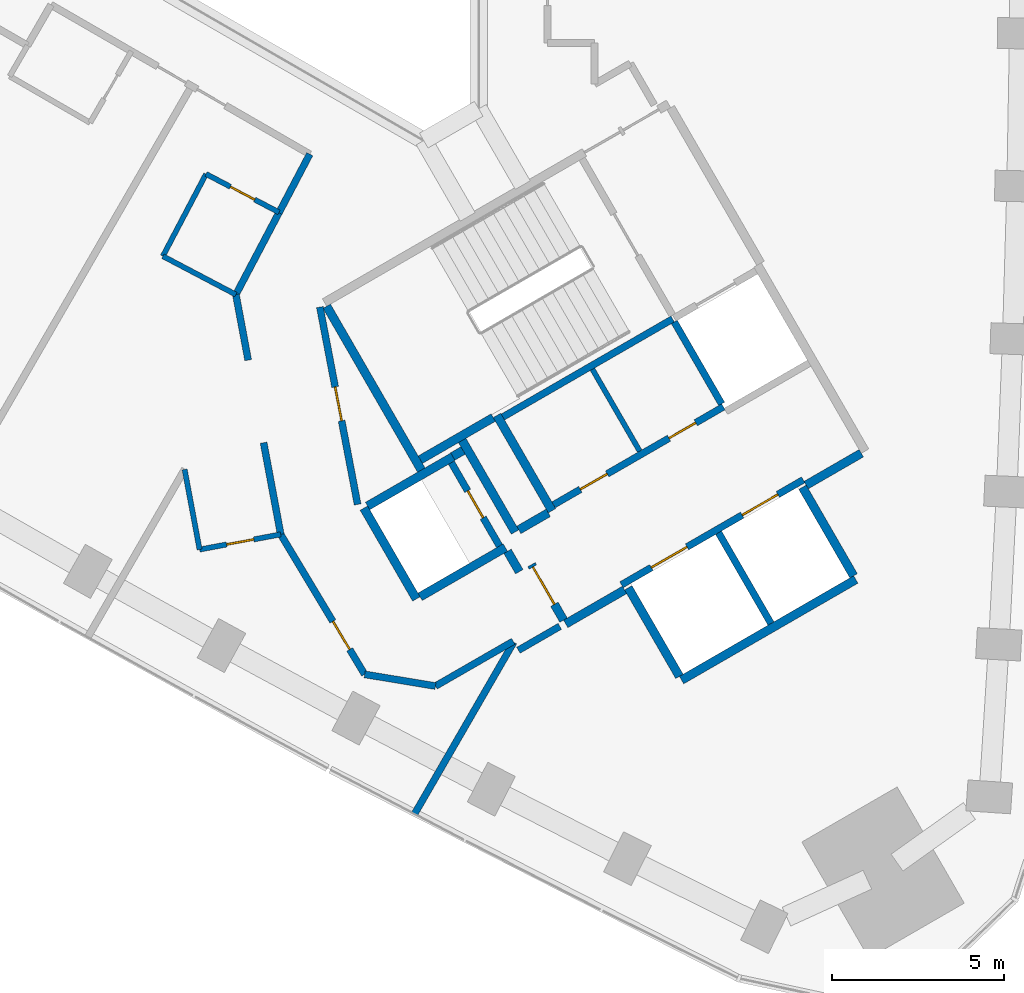
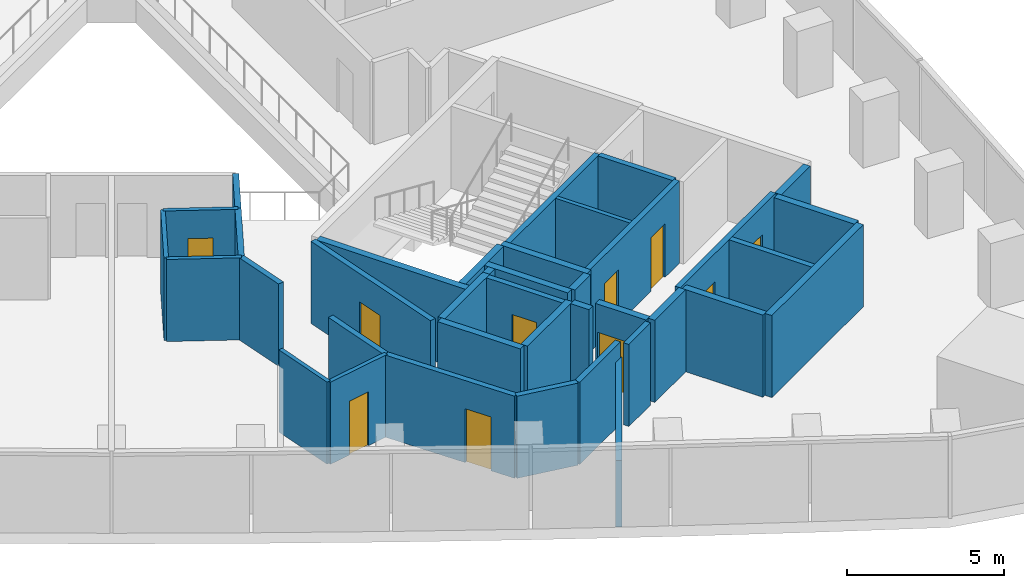
# One storey, part 8 of 12: 38 walls, 10 doors, 10 openings.
"""IFC4 building model written with IfcOpenShell, lengths in metres."""

from ifc_helpers import new_model, si_unit, direction, frame, frame_2d, origin, place, context, subcontext, project, spatial, rectangle, extrude, material, layer, layer_set, type_object, element, fill, save


model = new_model("IFC4")

# Units and contexts
model_context = context("Model", 3, precision=1e-05, world=origin(), true_north=direction((0.0, 1.0)))
body_context = subcontext(model_context, "Body", "Model", "MODEL_VIEW")
ifc_project = project(units=[si_unit("LENGTHUNIT", "METRE"), si_unit("AREAUNIT", "SQUARE_METRE"), si_unit("VOLUMEUNIT", "CUBIC_METRE"), si_unit("PLANEANGLEUNIT", "RADIAN"), si_unit("MASSUNIT", "GRAM", prefix="KILO")], contexts=[model_context])

# Site, building, storey
site_placement = place(None, origin())
site = spatial("IfcSite", under=ifc_project, at=site_placement, CompositionType="ELEMENT")
building_placement = place(site_placement, origin())
building = spatial("IfcBuilding", under=site, at=building_placement, Name="Tamra Quay Hotel Tower", CompositionType="ELEMENT")
storey_placement = place(building_placement, frame((0.0, 0.0, 115.39990234375)))
storey = spatial("IfcBuildingStorey", under=building, at=storey_placement, Name="L28", CompositionType="ELEMENT", Elevation=115.39990234375)

# Wall, openings, doors
ifc_material_1 = material(Name="Concrete M70", Category="concrete")
ifc_layer_1 = layer(ifc_material_1, 0.199951171875)
ifc_layer_set_1 = layer_set([ifc_layer_1], Name="Concrete M70 core wall 200")
wall_type_1 = type_object("IfcWallType", Name="Concrete M70 core wall 200", PredefinedType="SHEAR", material=ifc_layer_set_1)
wall_1_placement = place(storey_placement, frame((9.052490234375, -20.479736328125, 0.0), z_axis=(0.0, 0.0, 1.0), x_axis=(0.866030299012, 0.499991521122, 0.0)))
wall_1 = element("IfcWall", 1, at=wall_1_placement, inside=storey, type_object=wall_type_1, Name="CW2", PredefinedType="SHEAR", context=body_context, shape_type="SweptSolid", body=[
    extrude(rectangle(XDim=6.10009765625, YDim=0.199951171875, at=frame_2d((3.050048828125, 0.0))), origin(), (0.0, 0.0, 1.0), 3.2001953125),
])
opening_1_placement = place(wall_1_placement, frame((1.0, 0.0, 0.0)))
opening_1 = element("IfcOpeningElement", 2, at=opening_1_placement, cuts=wall_1, Name="Opening LD", PredefinedType="OPENING", context=body_context, shape_type="SweptSolid", body=[
    extrude(rectangle(XDim=1.199951171875, YDim=2.10009765625, at=frame_2d((0.60009765625, 1.050048828125))), frame((0.0, 0.10986328125, 0.0), z_axis=(0.0, -1.0, 0.0), x_axis=(1.0, 0.0, 0.0)), (0.0, 0.0, 1.0), 0.219970703125),
])
opening_2_placement = place(wall_1_placement, frame((4.05029296875, 0.0, 0.0)))
opening_2 = element("IfcOpeningElement", 3, at=opening_2_placement, cuts=wall_1, Name="Opening LD", PredefinedType="OPENING", context=body_context, shape_type="SweptSolid", body=[
    extrude(rectangle(XDim=1.199951171875, YDim=2.10009765625, at=frame_2d((0.60009765625, 1.050048828125))), frame((0.0, 0.10986328125, 0.0), z_axis=(0.0, -1.0, 0.0), x_axis=(1.0, 0.0, 0.0)), (0.0, 0.0, 1.0), 0.219970703125),
])
ifc_material_2 = material(Name="Landing door LD 1200 double door sliding")
door_type_1 = type_object("IfcDoorType", Name="Landing door LD 1200 double door sliding", OperationType="DOUBLE_DOOR_SLIDING", PredefinedType="DOOR", material=ifc_material_2)
door_1_placement = place(opening_1_placement, origin())
door_1 = element("IfcDoor", 4, at=door_1_placement, inside=storey, type_object=door_type_1, Name="LD", OperationType="DOUBLE_DOOR_SLIDING", OverallHeight=2.10009765625, OverallWidth=1.199951171875, PredefinedType="DOOR", context=body_context, shape_type="SweptSolid", body=[
    extrude(rectangle(XDim=1.199951171875, YDim=2.10009765625, at=frame_2d((0.60009765625, 1.050048828125))), frame((0.0, 0.02490234375, 0.0), z_axis=(0.0, -1.0, 0.0), x_axis=(1.0, 0.0, 0.0)), (0.0, 0.0, 1.0), 0.050048828125),
])
fill(opening_1, door_1)
door_2_placement = place(opening_2_placement, origin())
door_2 = element("IfcDoor", 5, at=door_2_placement, inside=storey, type_object=door_type_1, Name="LD", OperationType="DOUBLE_DOOR_SLIDING", OverallHeight=2.10009765625, OverallWidth=1.199951171875, PredefinedType="DOOR", context=body_context, shape_type="SweptSolid", body=[
    extrude(rectangle(XDim=1.199951171875, YDim=2.10009765625, at=frame_2d((0.60009765625, 1.050048828125))), frame((0.0, 0.02490234375, 0.0), z_axis=(0.0, -1.0, 0.0), x_axis=(1.0, 0.0, 0.0)), (0.0, 0.0, 1.0), 0.050048828125),
])
fill(opening_2, door_2)

# Wall
wall_2_placement = place(storey_placement, frame((10.537841796875, -12.751953125, 0.0), z_axis=(0.0, 0.0, 1.0), x_axis=(-0.866038630372, -0.499977090179, 0.0)))
element("IfcWall", 6, at=wall_2_placement, inside=storey, type_object=wall_type_1, Name="CW2", PredefinedType="SHEAR", context=body_context, shape_type="SweptSolid", body=[
    extrude(rectangle(XDim=5.698974609375, YDim=0.199951171875, at=frame_2d((2.849609375, 0.0))), origin(), (0.0, 0.0, 1.0), 3.2001953125),
])

# Wall, openings, doors
wall_3_placement = place(storey_placement, frame((7.0771484375, -18.156005859375, 0.0), z_axis=(0.0, 0.0, 1.0), x_axis=(0.866038630372, 0.499977090179, 0.0)))
wall_3 = element("IfcWall", 7, at=wall_3_placement, inside=storey, type_object=wall_type_1, Name="CW2", PredefinedType="SHEAR", context=body_context, shape_type="SweptSolid", body=[
    extrude(rectangle(XDim=5.698974609375, YDim=0.199951171875, at=frame_2d((2.849609375, 0.0))), origin(), (0.0, 0.0, 1.0), 3.2001953125),
])
opening_3_placement = place(wall_3_placement, frame((0.89892578125, 0.0, 0.0)))
opening_3 = element("IfcOpeningElement", 8, at=opening_3_placement, cuts=wall_3, Name="Opening D2", PredefinedType="OPENING", context=body_context, shape_type="SweptSolid", body=[
    extrude(rectangle(XDim=0.89990234375, YDim=2.10009765625, at=frame_2d((0.449951171875, 1.050048828125))), frame((0.0, 0.10986328125, 0.0), z_axis=(0.0, -1.0, 0.0), x_axis=(1.0, 0.0, 0.0)), (0.0, 0.0, 1.0), 0.219970703125),
])
opening_4_placement = place(wall_3_placement, frame((3.8740234375, 0.0, 0.0)))
opening_4 = element("IfcOpeningElement", 9, at=opening_4_placement, cuts=wall_3, Name="Opening D2", PredefinedType="OPENING", context=body_context, shape_type="SweptSolid", body=[
    extrude(rectangle(XDim=0.89990234375, YDim=2.10009765625, at=frame_2d((0.449951171875, 1.050048828125))), frame((0.0, 0.10986328125, 0.0), z_axis=(0.0, -1.0, 0.0), x_axis=(1.0, 0.0, 0.0)), (0.0, 0.0, 1.0), 0.219970703125),
])
ifc_material_3 = material(Name="Core door D2 900x2100 LH")
door_type_2 = type_object("IfcDoorType", Name="Core door D2 900x2100 LH", OperationType="NOTDEFINED", PredefinedType="DOOR", material=ifc_material_3)
door_3_placement = place(opening_3_placement, origin())
door_3 = element("IfcDoor", 10, at=door_3_placement, inside=storey, type_object=door_type_2, Name="D2", OperationType="SINGLE_SWING_LEFT", OverallHeight=2.10009765625, OverallWidth=0.89990234375, PredefinedType="DOOR", context=body_context, shape_type="SweptSolid", body=[
    extrude(rectangle(XDim=0.89990234375, YDim=2.10009765625, at=frame_2d((0.449951171875, 1.050048828125))), frame((0.0, 0.02490234375, 0.0), z_axis=(0.0, -1.0, 0.0), x_axis=(1.0, 0.0, 0.0)), (0.0, 0.0, 1.0), 0.050048828125),
])
fill(opening_3, door_3)
ifc_material_4 = material(Name="Core door D2 900x2100 RH")
door_type_3 = type_object("IfcDoorType", Name="Core door D2 900x2100 RH", OperationType="NOTDEFINED", PredefinedType="DOOR", material=ifc_material_4)
door_4_placement = place(opening_4_placement, origin())
door_4 = element("IfcDoor", 11, at=door_4_placement, inside=storey, type_object=door_type_3, Name="D2", OperationType="SINGLE_SWING_RIGHT", OverallHeight=2.10009765625, OverallWidth=0.89990234375, PredefinedType="DOOR", context=body_context, shape_type="SweptSolid", body=[
    extrude(rectangle(XDim=0.89990234375, YDim=2.10009765625, at=frame_2d((0.449951171875, 1.050048828125))), frame((0.0, 0.02490234375, 0.0), z_axis=(0.0, -1.0, 0.0), x_axis=(1.0, 0.0, 0.0)), (0.0, 0.0, 1.0), 0.050048828125),
])
fill(opening_4, door_4)

# Wall
wall_4_placement = place(storey_placement, frame((11.87451171875, -18.967041015625, 0.0), z_axis=(0.0, 0.0, 1.0), x_axis=(0.49998131003, -0.866036194175, 0.0)))
element("IfcWall", 12, at=wall_4_placement, inside=storey, type_object=wall_type_1, Name="CW2", PredefinedType="SHEAR", context=body_context, shape_type="SweptSolid", body=[
    extrude(rectangle(XDim=3.0478515625, YDim=0.199951171875, at=frame_2d((1.52392578125, 0.0))), origin(), (0.0, 0.0, 1.0), 3.2001953125),
])

# Wall, opening, door
wall_5_placement = place(storey_placement, frame((5.50341796875, -19.352294921875, 0.0), z_axis=(0.0, 0.0, 1.0), x_axis=(-0.499986818241, 0.866033014143, 0.0)))
wall_5 = element("IfcWall", 13, at=wall_5_placement, inside=storey, type_object=wall_type_1, Name="CW2", PredefinedType="SHEAR", context=body_context, shape_type="SweptSolid", body=[
    extrude(rectangle(XDim=2.7978515625, YDim=0.199951171875, at=frame_2d((1.39892578125, 0.0))), origin(), (0.0, 0.0, 1.0), 3.2001953125),
])
opening_5_placement = place(wall_5_placement, frame((0.948974609375, 0.0, 0.0)))
opening_5 = element("IfcOpeningElement", 14, at=opening_5_placement, cuts=wall_5, Name="Opening D1", PredefinedType="OPENING", context=body_context, shape_type="SweptSolid", body=[
    extrude(rectangle(XDim=0.89990234375, YDim=2.10009765625, at=frame_2d((0.449951171875, 1.050048828125))), frame((0.0, 0.10986328125, 0.0), z_axis=(0.0, -1.0, 0.0), x_axis=(1.0, 0.0, 0.0)), (0.0, 0.0, 1.0), 0.219970703125),
])
ifc_material_5 = material(Name="Core door D1 900x2100 LH")
door_type_4 = type_object("IfcDoorType", Name="Core door D1 900x2100 LH", OperationType="NOTDEFINED", PredefinedType="DOOR", material=ifc_material_5)
door_5_placement = place(opening_5_placement, origin())
door_5 = element("IfcDoor", 15, at=door_5_placement, inside=storey, type_object=door_type_4, Name="D1", OperationType="SINGLE_SWING_LEFT", OverallHeight=2.10009765625, OverallWidth=0.89990234375, PredefinedType="DOOR", context=body_context, shape_type="SweptSolid", body=[
    extrude(rectangle(XDim=0.89990234375, YDim=2.10009765625, at=frame_2d((0.449951171875, 1.050048828125))), frame((0.0, 0.02490234375, 0.0), z_axis=(0.0, -1.0, 0.0), x_axis=(1.0, 0.0, 0.0)), (0.0, 0.0, 1.0), 0.050048828125),
])
fill(opening_5, door_5)

# Walls
wall_6_placement = place(storey_placement, frame((11.962646484375, -15.219970703125, 0.0), z_axis=(0.0, 0.0, 1.0), x_axis=(-0.500034990121, 0.866005201286, 0.0)))
element("IfcWall", 16, at=wall_6_placement, inside=storey, type_object=wall_type_1, Name="CW2", PredefinedType="SHEAR", context=body_context, shape_type="SweptSolid", body=[
    extrude(rectangle(XDim=2.749755859375, YDim=0.199951171875, at=frame_2d((1.375, 0.0))), origin(), (0.0, 0.0, 1.0), 3.2001953125),
])
ifc_layer_2 = layer(ifc_material_1, 0.25)
ifc_layer_set_2 = layer_set([ifc_layer_2], Name="Concrete M70 core wall 250")
wall_type_2 = type_object("IfcWallType", Name="Concrete M70 core wall 250", PredefinedType="SHEAR", material=ifc_layer_set_2)
wall_7_placement = place(storey_placement, frame((15.86474609375, -20.328369140625, 0.0), z_axis=(0.0, 0.0, 1.0), x_axis=(-0.86602852612, -0.499994591916, 0.0)))
element("IfcWall", 17, at=wall_7_placement, inside=storey, type_object=wall_type_2, Name="CW1", PredefinedType="SHEAR", context=body_context, shape_type="SweptSolid", body=[
    extrude(rectangle(XDim=5.85009765625, YDim=0.25, at=frame_2d((2.925048828125, 0.0))), origin(), (0.0, 0.0, 1.0), 3.2001953125),
])
wall_8_placement = place(storey_placement, frame((3.23486328125, -17.15283203125, 0.0), z_axis=(0.0, 0.0, 1.0), x_axis=(-0.500008851346, 0.866020293397, 0.0)))
element("IfcWall", 18, at=wall_8_placement, inside=storey, type_object=wall_type_2, Name="CW1", PredefinedType="SHEAR", context=body_context, shape_type="SweptSolid", body=[
    extrude(rectangle(XDim=5.509765625, YDim=0.25, at=frame_2d((2.7548828125, 0.0))), origin(), (0.0, 0.0, 1.0), 3.2001953125),
])
wall_9_placement = place(storey_placement, frame((7.030517578125, -18.327392578125, 0.0), z_axis=(0.0, 0.0, 1.0), x_axis=(-0.499971222258, 0.866042017984, 0.0)))
element("IfcWall", 19, at=wall_9_placement, inside=storey, type_object=wall_type_2, Name="CW1", PredefinedType="SHEAR", context=body_context, shape_type="SweptSolid", body=[
    extrude(rectangle(XDim=3.199951171875, YDim=0.25, at=frame_2d((1.60009765625, 0.0))), origin(), (0.0, 0.0, 1.0), 3.2001953125),
])
for number, where, z_axis, x_axis, name in (
    (20, (14.314697265625, -17.643798828125, 0.0), (0.0, 0.0, 1.0), (0.500023226632, -0.866011993467, 0.0), "CW1"),
    (21, (10.73583984375, -23.144775390625, 0.0), (0.0, 0.0, 1.0), (-0.500023226632, 0.866011993467, 0.0), "CW1"),
):
    element("IfcWall", number, at=place(storey_placement, frame(where, z_axis=z_axis, x_axis=x_axis)), inside=storey, type_object=wall_type_2, Name=name, PredefinedType="SHEAR", context=body_context, shape_type="SweptSolid", body=[
        extrude(rectangle(XDim=2.974365234375, YDim=0.25, at=frame_2d((1.4873046875, 0.0))), origin(), (0.0, 0.0, 1.0), 3.2001953125),
    ])
wall_10_placement = place(storey_placement, frame((3.085205078125, -20.893798828125, 0.0), z_axis=(0.0, 0.0, 1.0), x_axis=(-0.499978833458, 0.866037623948, 0.0)))
element("IfcWall", 22, at=wall_10_placement, inside=storey, type_object=wall_type_2, Name="CW1", PredefinedType="SHEAR", context=body_context, shape_type="SweptSolid", body=[
    extrude(rectangle(XDim=3.050048828125, YDim=0.25, at=frame_2d((1.52490234375, 0.0))), origin(), (0.0, 0.0, 1.0), 3.2001953125),
])
wall_11_placement = place(storey_placement, frame((1.6689453125, -18.189697265625, 0.0), z_axis=(0.0, 0.0, 1.0), x_axis=(0.866042235819, 0.499970844928, 0.0)))
element("IfcWall", 23, at=wall_11_placement, inside=storey, type_object=wall_type_2, Name="CW1", PredefinedType="SHEAR", context=body_context, shape_type="SweptSolid", body=[
    extrude(rectangle(XDim=2.864501953125, YDim=0.25, at=frame_2d((1.43212890625, 0.0))), origin(), (0.0, 0.0, 1.0), 3.2001953125),
])
wall_12_placement = place(storey_placement, frame((5.6748046875, -19.39892578125, 0.0), z_axis=(0.0, 0.0, 1.0), x_axis=(-0.866026637627, -0.499997862916, 0.0)))
element("IfcWall", 24, at=wall_12_placement, inside=storey, type_object=wall_type_2, Name="CW1", PredefinedType="SHEAR", context=body_context, shape_type="SweptSolid", body=[
    extrude(rectangle(XDim=2.86474609375, YDim=0.25, at=frame_2d((1.432373046875, 0.0))), origin(), (0.0, 0.0, 1.0), 3.2001953125),
])
wall_13_placement = place(storey_placement, frame((4.414306640625, -16.275634765625, 0.0), z_axis=(0.0, 0.0, 1.0), x_axis=(0.500003324108, -0.866023484601, 0.0)))
element("IfcWall", 25, at=wall_13_placement, inside=storey, type_object=wall_type_2, Name="CW1", PredefinedType="SHEAR", context=body_context, shape_type="SweptSolid", body=[
    extrude(rectangle(XDim=3.0849609375, YDim=0.25, at=frame_2d((1.54248046875, 0.0))), origin(), (0.0, 0.0, 1.0), 3.2001953125),
])
wall_14_placement = place(storey_placement, frame((5.322021484375, -15.618896484375, 0.0), z_axis=(0.0, 0.0, 1.0), x_axis=(-0.866026229868, -0.499998569178, 0.0)))
element("IfcWall", 26, at=wall_14_placement, inside=storey, type_object=wall_type_2, Name="CW1", PredefinedType="SHEAR", context=body_context, shape_type="SweptSolid", body=[
    extrude(rectangle(XDim=2.44921875, YDim=0.25, at=frame_2d((1.224609375, 0.0))), origin(), (0.0, 0.0, 1.0), 3.2001953125),
])
wall_15_placement = place(storey_placement, frame((9.139892578125, -20.63134765625, 0.0), z_axis=(0.0, 0.0, 1.0), x_axis=(-0.866043531843, -0.499968599967, 0.0)))
element("IfcWall", 27, at=wall_15_placement, inside=storey, type_object=wall_type_2, Name="CW1", PredefinedType="SHEAR", context=body_context, shape_type="SweptSolid", body=[
    extrude(rectangle(XDim=1.974853515625, YDim=0.25, at=frame_2d((0.9873046875, 0.0))), origin(), (0.0, 0.0, 1.0), 3.2001953125),
])
wall_16_placement = place(storey_placement, frame((16.024658203125, -16.656494140625, 0.0), z_axis=(0.0, 0.0, 1.0), x_axis=(-0.866016279763, -0.500015802937, 0.0)))
element("IfcWall", 28, at=wall_16_placement, inside=storey, type_object=wall_type_2, Name="CW1", PredefinedType="SHEAR", context=body_context, shape_type="SweptSolid", body=[
    extrude(rectangle(XDim=1.84912109375, YDim=0.25, at=frame_2d((0.924560546875, 0.0))), origin(), (0.0, 0.0, 1.0), 3.2001953125),
])

# Wall, opening, door
wall_17_placement = place(storey_placement, frame((7.3671875, -21.51025390625, 0.0), z_axis=(0.0, 0.0, 1.0), x_axis=(-0.499983108224, 0.866035156036, 0.0)))
wall_17 = element("IfcWall", 29, at=wall_17_placement, inside=storey, type_object=wall_type_2, Name="CW1", PredefinedType="SHEAR", context=body_context, shape_type="SweptSolid", body=[
    extrude(rectangle(XDim=1.86474609375, YDim=0.25, at=frame_2d((0.932373046875, 0.0))), origin(), (0.0, 0.0, 1.0), 3.2001953125),
])
opening_6_placement = place(wall_17_placement, frame((0.53466796875, 0.0, 0.0)))
opening_6 = element("IfcOpeningElement", 30, at=opening_6_placement, cuts=wall_17, Name="Opening FD3", PredefinedType="OPENING", context=body_context, shape_type="SweptSolid", body=[
    extrude(rectangle(XDim=1.25, YDim=2.10009765625, at=frame_2d((0.625, 1.050048828125))), frame((0.0, 0.135009765625, 0.0), z_axis=(0.0, -1.0, 0.0), x_axis=(1.0, 0.0, 0.0)), (0.0, 0.0, 1.0), 0.27001953125),
])
ifc_material_6 = material(Name="Core door FD3 1250x2100 LH")
door_type_5 = type_object("IfcDoorType", Name="Core door FD3 1250x2100 LH", OperationType="NOTDEFINED", PredefinedType="DOOR", material=ifc_material_6)
door_6_placement = place(opening_6_placement, origin())
door_6 = element("IfcDoor", 31, at=door_6_placement, inside=storey, type_object=door_type_5, Name="FD3", OperationType="SINGLE_SWING_LEFT", OverallHeight=2.10009765625, OverallWidth=1.25, PredefinedType="DOOR", context=body_context, shape_type="SweptSolid", body=[
    extrude(rectangle(XDim=1.25, YDim=2.10009765625, at=frame_2d((0.625, 1.050048828125))), frame((0.0, 0.02490234375, 0.0), z_axis=(0.0, -1.0, 0.0), x_axis=(1.0, 0.0, 0.0)), (0.0, 0.0, 1.0), 0.050048828125),
])
fill(opening_6, door_6)

# Walls
wall_18_placement = place(storey_placement, frame((6.0654296875, -18.884765625, 0.0), z_axis=(0.0, 0.0, 1.0), x_axis=(0.866017078145, 0.500014420154, 0.0)))
element("IfcWall", 32, at=wall_18_placement, inside=storey, type_object=wall_type_2, Name="CW1", PredefinedType="SHEAR", context=body_context, shape_type="SweptSolid", body=[
    extrude(rectangle(XDim=0.9892578125, YDim=0.25, at=frame_2d((0.49462890625, 0.0))), origin(), (0.0, 0.0, 1.0), 3.2001953125),
])
wall_19_placement = place(storey_placement, frame((6.07958984375, -20.100341796875, 0.0), z_axis=(0.0, 0.0, 1.0), x_axis=(-0.500051773299, 0.865995510393, 0.0)))
element("IfcWall", 33, at=wall_19_placement, inside=storey, type_object=wall_type_2, Name="CW1", PredefinedType="SHEAR", context=body_context, shape_type="SweptSolid", body=[
    extrude(rectangle(XDim=0.6845703125, YDim=0.25, at=frame_2d((0.34228515625, 0.0))), origin(), (0.0, 0.0, 1.0), 3.2001953125),
])
wall_20_placement = place(storey_placement, frame((4.144775390625, -16.748779296875, 0.0), z_axis=(0.0, 0.0, 1.0), x_axis=(0.866185586049, 0.49972245349, 0.0)))
element("IfcWall", 34, at=wall_20_placement, inside=storey, type_object=wall_type_2, Name="CW1", PredefinedType="SHEAR", context=body_context, shape_type="SweptSolid", body=[
    extrude(rectangle(XDim=0.344482421875, YDim=0.25, at=frame_2d((0.17236328125, 0.0))), origin(), (0.0, 0.0, 1.0), 3.2001953125),
])
ifc_material_7 = material(Name="Blockwork", Category="masonry")
ifc_layer_3 = layer(ifc_material_7, 0.14990234375)
ifc_layer_set_3 = layer_set([ifc_layer_3], Name="Core partition block 150")
wall_type_3 = type_object("IfcWallType", Name="Core partition block 150", PredefinedType="PARTITIONING", material=ifc_layer_set_3)
wall_21_placement = place(storey_placement, frame((8.20654296875, -14.214111328125, 0.0), z_axis=(0.0, 0.0, 1.0), x_axis=(0.50002746344, -0.86600954718, 0.0)))
element("IfcWall", 35, at=wall_21_placement, inside=storey, type_object=wall_type_3, Name="CP1", PredefinedType="PARTITIONING", context=body_context, shape_type="SweptSolid", body=[
    extrude(rectangle(XDim=2.748291015625, YDim=0.14990234375, at=frame_2d((1.3740234375, 0.0))), origin(), (0.0, 0.0, 1.0), 3.2001953125),
])
ifc_material_8 = material(Name="Partition corridor wall")
ifc_layer_4 = layer(ifc_material_8, 0.199951171875)
ifc_layer_set_4 = layer_set([ifc_layer_4], Name="Partition corridor wall")
wall_type_4 = type_object("IfcWallType", Name="Partition corridor wall", PredefinedType="PARTITIONING", material=ifc_layer_set_4)
wall_22_placement = place(storey_placement, frame((-2.162109375, -12.0419921875, 0.0), z_axis=(0.0, 0.0, 1.0), x_axis=(0.184098589938, -0.982907782644, 0.0)))
element("IfcWall", 36, at=wall_22_placement, inside=storey, type_object=wall_type_4, Name="W-C", PredefinedType="PARTITIONING", context=body_context, shape_type="SweptSolid", body=[
    extrude(rectangle(XDim=1.940185546875, YDim=0.199951171875, at=frame_2d((0.97021484375, 0.0))), origin(), (0.0, 0.0, 1.0), 3.2001953125),
])
wall_23_placement = place(storey_placement, frame((-2.162109375, -12.041015625, 0.0), z_axis=(0.0, 0.0, 1.0), x_axis=(0.465768693846, 0.884906505702, 0.0)))
element("IfcWall", 37, at=wall_23_placement, inside=storey, type_object=wall_type_4, Name="W-C", PredefinedType="PARTITIONING", context=body_context, shape_type="SweptSolid", body=[
    extrude(rectangle(XDim=2.712158203125, YDim=0.199951171875, at=frame_2d((1.35595703125, 0.0))), origin(), (0.0, 0.0, 1.0), 3.2001953125),
])
wall_24_placement = place(storey_placement, frame((-1.35595703125, -16.34912109375, 0.0), z_axis=(0.0, 0.0, 1.0), x_axis=(0.183652540949, -0.982991222852, 0.0)))
element("IfcWall", 38, at=wall_24_placement, inside=storey, type_object=wall_type_4, Name="W-C", PredefinedType="PARTITIONING", context=body_context, shape_type="SweptSolid", body=[
    extrude(rectangle(XDim=2.7119140625, YDim=0.199951171875, at=frame_2d((1.35595703125, 0.0))), origin(), (0.0, 0.0, 1.0), 3.2001953125),
])
wall_25_placement = place(storey_placement, frame((-0.909912109375, -9.6630859375, 0.0), z_axis=(0.0, 0.0, 1.0), x_axis=(0.465380551605, 0.885110694878, 0.0)))
element("IfcWall", 39, at=wall_25_placement, inside=storey, type_object=wall_type_4, Name="W-C", PredefinedType="PARTITIONING", context=body_context, shape_type="SweptSolid", body=[
    extrude(rectangle(XDim=1.92529296875, YDim=0.199951171875, at=frame_2d((0.962646484375, 0.0))), origin(), (0.0, 0.0, 1.0), 3.2001953125),
])

# Wall, opening, door
wall_26_placement = place(storey_placement, frame((-0.85791015625, -19.01708984375, 0.0), z_axis=(0.0, 0.0, 1.0), x_axis=(0.514586543775, -0.857438446167, 0.0)))
wall_26 = element("IfcWall", 40, at=wall_26_placement, inside=storey, type_object=wall_type_4, Name="W-C", PredefinedType="PARTITIONING", context=body_context, shape_type="SweptSolid", body=[
    extrude(rectangle(XDim=4.745361328125, YDim=0.199951171875, at=frame_2d((2.37255859375, 0.0))), origin(), (0.0, 0.0, 1.0), 3.2001953125),
])
opening_7_placement = place(wall_26_placement, frame((2.949951171875, 0.0, 0.0)))
opening_7 = element("IfcOpeningElement", 41, at=opening_7_placement, cuts=wall_26, Name="Opening L28-D017", PredefinedType="OPENING", context=body_context, shape_type="SweptSolid", body=[
    extrude(rectangle(XDim=0.949951171875, YDim=2.10009765625, at=frame_2d((0.47509765625, 1.050048828125))), frame((0.0, 0.10986328125, 0.0), z_axis=(0.0, -1.0, 0.0), x_axis=(1.0, 0.0, 0.0)), (0.0, 0.0, 1.0), 0.219970703125),
])
ifc_material_9 = material(Name="Door guest room 950x2100")
door_type_6 = type_object("IfcDoorType", Name="Door guest room 950x2100", OperationType="NOTDEFINED", PredefinedType="DOOR", material=ifc_material_9)
door_7_placement = place(opening_7_placement, frame((0.949951171875, 0.0, 0.0), z_axis=(0.0, 0.0, 1.0), x_axis=(-1.0, 0.0, 0.0)))
door_7 = element("IfcDoor", 42, at=door_7_placement, inside=storey, type_object=door_type_6, Name="L28-D017", OperationType="SINGLE_SWING_LEFT", OverallHeight=2.10009765625, OverallWidth=0.949951171875, PredefinedType="DOOR", context=body_context, shape_type="SweptSolid", body=[
    extrude(rectangle(XDim=0.949951171875, YDim=2.10009765625, at=frame_2d((0.47509765625, 1.050048828125))), frame((0.0, 0.02490234375, 0.0), z_axis=(0.0, -1.0, 0.0), x_axis=(1.0, 0.0, 0.0)), (0.0, 0.0, 1.0), 0.050048828125),
])
fill(opening_7, door_7)

wall_27_placement = place(storey_placement, frame((0.28076171875, -12.40625, 0.0), z_axis=(0.0, 0.0, 1.0), x_axis=(0.187814940093, -0.982204433037, 0.0)))
wall_27 = element("IfcWall", 43, at=wall_27_placement, inside=storey, type_object=wall_type_4, Name="W-C", PredefinedType="PARTITIONING", context=body_context, shape_type="SweptSolid", body=[
    extrude(rectangle(XDim=5.841796875, YDim=0.199951171875, at=frame_2d((2.9208984375, 0.0))), origin(), (0.0, 0.0, 1.0), 3.2001953125),
])
opening_8_placement = place(wall_27_placement, frame((2.36328125, 0.0, 0.0)))
opening_8 = element("IfcOpeningElement", 44, at=opening_8_placement, cuts=wall_27, Name="Opening L28-D016", PredefinedType="OPENING", context=body_context, shape_type="SweptSolid", body=[
    extrude(rectangle(XDim=1.0, YDim=2.10009765625, at=frame_2d((0.5, 1.050048828125))), frame((0.0, 0.10986328125, 0.0), z_axis=(0.0, -1.0, 0.0), x_axis=(1.0, 0.0, 0.0)), (0.0, 0.0, 1.0), 0.219970703125),
])
ifc_material_10 = material(Name="Door guest room 1000x2100")
door_type_7 = type_object("IfcDoorType", Name="Door guest room 1000x2100", OperationType="NOTDEFINED", PredefinedType="DOOR", material=ifc_material_10)
door_8_placement = place(opening_8_placement, origin())
door_8 = element("IfcDoor", 45, at=door_8_placement, inside=storey, type_object=door_type_7, Name="L28-D016", OperationType="SINGLE_SWING_LEFT", OverallHeight=2.10009765625, OverallWidth=1.0, PredefinedType="DOOR", context=body_context, shape_type="SweptSolid", body=[
    extrude(rectangle(XDim=1.0, YDim=2.10009765625, at=frame_2d((0.5, 1.050048828125))), frame((0.0, 0.02490234375, 0.0), z_axis=(0.0, -1.0, 0.0), x_axis=(1.0, 0.0, 0.0)), (0.0, 0.0, 1.0), 0.050048828125),
])
fill(opening_8, door_8)

# Walls
wall_28_placement = place(storey_placement, frame((1.583984375, -23.0859375, 0.0), z_axis=(0.0, 0.0, 1.0), x_axis=(0.986633159246, -0.162957077405, 0.0)))
element("IfcWall", 46, at=wall_28_placement, inside=storey, type_object=wall_type_4, Name="W-C", PredefinedType="PARTITIONING", context=body_context, shape_type="SweptSolid", body=[
    extrude(rectangle(XDim=2.0869140625, YDim=0.199951171875, at=frame_2d((1.04345703125, 0.0))), origin(), (0.0, 0.0, 1.0), 3.2001953125),
])
wall_29_placement = place(storey_placement, frame((3.64306640625, -23.426025390625, 0.0), z_axis=(0.0, 0.0, 1.0), x_axis=(0.866654350985, 0.498909045738, 0.0)))
element("IfcWall", 47, at=wall_29_placement, inside=storey, type_object=wall_type_4, Name="W-C", PredefinedType="PARTITIONING", context=body_context, shape_type="SweptSolid", body=[
    extrude(rectangle(XDim=2.607666015625, YDim=0.199951171875, at=frame_2d((1.3037109375, 0.0))), origin(), (0.0, 0.0, 1.0), 3.2001953125),
])
wall_30_placement = place(storey_placement, frame((6.053955078125, -22.385009765625, 0.0), z_axis=(0.0, 0.0, 1.0), x_axis=(0.86593101922, 0.500163443238, 0.0)))
element("IfcWall", 48, at=wall_30_placement, inside=storey, type_object=wall_type_4, Name="W-C", PredefinedType="PARTITIONING", context=body_context, shape_type="SweptSolid", body=[
    extrude(rectangle(XDim=1.3896484375, YDim=0.199951171875, at=frame_2d((0.69482421875, 0.0))), origin(), (0.0, 0.0, 1.0), 3.2001953125),
])
ifc_material_11 = material(Name="Partition en-suite wall")
ifc_layer_5 = layer(ifc_material_11, 0.14990234375)
ifc_layer_set_5 = layer_set([ifc_layer_5], Name="Partition en-suite wall")
wall_type_5 = type_object("IfcWallType", Name="Partition en-suite wall", PredefinedType="PARTITIONING", material=ifc_layer_set_5)
wall_31_placement = place(storey_placement, frame((-4.285888671875, -10.925048828125, 0.0), z_axis=(0.0, 0.0, 1.0), x_axis=(0.465418501586, 0.885090740196, 0.0)))
element("IfcWall", 49, at=wall_31_placement, inside=storey, type_object=wall_type_5, Name="W-E", PredefinedType="PARTITIONING", context=body_context, shape_type="SweptSolid", body=[
    extrude(rectangle(XDim=2.700439453125, YDim=0.14990234375, at=frame_2d((1.35009765625, 0.0))), origin(), (0.0, 0.0, 1.0), 3.2001953125),
])
wall_32_placement = place(storey_placement, frame((-4.285888671875, -10.925048828125, 0.0), z_axis=(0.0, 0.0, 1.0), x_axis=(0.885061635711, -0.465473845658, 0.0)))
element("IfcWall", 50, at=wall_32_placement, inside=storey, type_object=wall_type_5, Name="W-E", PredefinedType="PARTITIONING", context=body_context, shape_type="SweptSolid", body=[
    extrude(rectangle(XDim=2.399658203125, YDim=0.14990234375, at=frame_2d((1.19970703125, 0.0))), origin(), (0.0, 0.0, 1.0), 3.2001953125),
])
wall_33_placement = place(storey_placement, frame((-3.653076171875, -17.126953125, 0.0), z_axis=(0.0, 0.0, 1.0), x_axis=(0.184014813208, -0.982923470327, 0.0)))
element("IfcWall", 51, at=wall_33_placement, inside=storey, type_object=wall_type_5, Name="W-E", PredefinedType="PARTITIONING", context=body_context, shape_type="SweptSolid", body=[
    extrude(rectangle(XDim=2.36962890625, YDim=0.14990234375, at=frame_2d((1.184814453125, 0.0))), origin(), (0.0, 0.0, 1.0), 3.2001953125),
])

# Wall, opening, door
wall_34_placement = place(storey_placement, frame((-3.217041015625, -19.4560546875, 0.0), z_axis=(0.0, 0.0, 1.0), x_axis=(0.982960745934, 0.183815592249, 0.0)))
wall_34 = element("IfcWall", 52, at=wall_34_placement, inside=storey, type_object=wall_type_5, Name="W-E", PredefinedType="PARTITIONING", context=body_context, shape_type="SweptSolid", body=[
    extrude(rectangle(XDim=2.400146484375, YDim=0.14990234375, at=frame_2d((1.2001953125, 0.0))), origin(), (0.0, 0.0, 1.0), 3.2001953125),
])
opening_9_placement = place(wall_34_placement, frame((0.7998046875, 0.0, 0.0)))
opening_9 = element("IfcOpeningElement", 53, at=opening_9_placement, cuts=wall_34, Name="Opening L28-D018", PredefinedType="OPENING", context=body_context, shape_type="SweptSolid", body=[
    extrude(rectangle(XDim=0.800048828125, YDim=2.10009765625, at=frame_2d((0.39990234375, 1.050048828125))), frame((0.0, 0.0849609375, 0.0), z_axis=(0.0, -1.0, 0.0), x_axis=(1.0, 0.0, 0.0)), (0.0, 0.0, 1.0), 0.169921875),
])
ifc_material_12 = material(Name="Door en-suite 800x2100")
door_type_8 = type_object("IfcDoorType", Name="Door en-suite 800x2100", OperationType="NOTDEFINED", PredefinedType="DOOR", material=ifc_material_12)
door_9_placement = place(opening_9_placement, frame((0.800048828125, 0.0, 0.0), z_axis=(0.0, 0.0, 1.0), x_axis=(-1.0, 0.0, 0.0)))
door_9 = element("IfcDoor", 54, at=door_9_placement, inside=storey, type_object=door_type_8, Name="L28-D018", OperationType="SINGLE_SWING_LEFT", OverallHeight=2.10009765625, OverallWidth=0.800048828125, PredefinedType="DOOR", context=body_context, shape_type="SweptSolid", body=[
    extrude(rectangle(XDim=0.800048828125, YDim=2.10009765625, at=frame_2d((0.39990234375, 1.050048828125))), frame((0.0, 0.02490234375, 0.0), z_axis=(0.0, -1.0, 0.0), x_axis=(1.0, 0.0, 0.0)), (0.0, 0.0, 1.0), 0.050048828125),
])
fill(opening_9, door_9)

wall_35_placement = place(storey_placement, frame((-3.029052734375, -8.534912109375, 0.0), z_axis=(0.0, 0.0, 1.0), x_axis=(0.885041766517, -0.4655116234, 0.0)))
wall_35 = element("IfcWall", 55, at=wall_35_placement, inside=storey, type_object=wall_type_5, Name="W-E", PredefinedType="PARTITIONING", context=body_context, shape_type="SweptSolid", body=[
    extrude(rectangle(XDim=2.39990234375, YDim=0.14990234375, at=frame_2d((1.199951171875, 0.0))), origin(), (0.0, 0.0, 1.0), 3.2001953125),
])
opening_10_placement = place(wall_35_placement, frame((0.800048828125, 0.0, 0.0)))
opening_10 = element("IfcOpeningElement", 56, at=opening_10_placement, cuts=wall_35, Name="Opening L28-D015", PredefinedType="OPENING", context=body_context, shape_type="SweptSolid", body=[
    extrude(rectangle(XDim=0.800048828125, YDim=2.10009765625, at=frame_2d((0.39990234375, 1.050048828125))), frame((0.0, 0.0849609375, 0.0), z_axis=(0.0, -1.0, 0.0), x_axis=(1.0, 0.0, 0.0)), (0.0, 0.0, 1.0), 0.169921875),
])
door_10_placement = place(opening_10_placement, frame((0.800048828125, 0.0, 0.0), z_axis=(0.0, 0.0, 1.0), x_axis=(-1.0, 0.0, 0.0)))
door_10 = element("IfcDoor", 57, at=door_10_placement, inside=storey, type_object=door_type_8, Name="L28-D015", OperationType="SINGLE_SWING_LEFT", OverallHeight=2.10009765625, OverallWidth=0.800048828125, PredefinedType="DOOR", context=body_context, shape_type="SweptSolid", body=[
    extrude(rectangle(XDim=0.800048828125, YDim=2.10009765625, at=frame_2d((0.39990234375, 1.050048828125))), frame((0.0, 0.02490234375, 0.0), z_axis=(0.0, -1.0, 0.0), x_axis=(1.0, 0.0, 0.0)), (0.0, 0.0, 1.0), 0.050048828125),
])
fill(opening_10, door_10)

# Wall
ifc_material_13 = material(Name="Partition party wall")
ifc_layer_6 = layer(ifc_material_13, 0.199951171875)
ifc_layer_set_6 = layer_set([ifc_layer_6], Name="Partition party wall")
wall_type_6 = type_object("IfcWallType", Name="Partition party wall", PredefinedType="PARTITIONING", material=ifc_layer_set_6)
wall_36_placement = place(storey_placement, frame((3.03662109375, -27.140625, 0.0), z_axis=(0.0, 0.0, 1.0), x_axis=(0.499940097468, 0.866059985765, 0.0)))
element("IfcWall", 58, at=wall_36_placement, inside=storey, type_object=wall_type_6, Name="W-P", PredefinedType="PARTITIONING", context=body_context, shape_type="SweptSolid", body=[
    extrude(rectangle(XDim=5.761474609375, YDim=0.199951171875, at=frame_2d((2.880859375, 0.0))), origin(), (0.0, 0.0, 1.0), 2.580078125),
])

save(model, "model.ifc")
